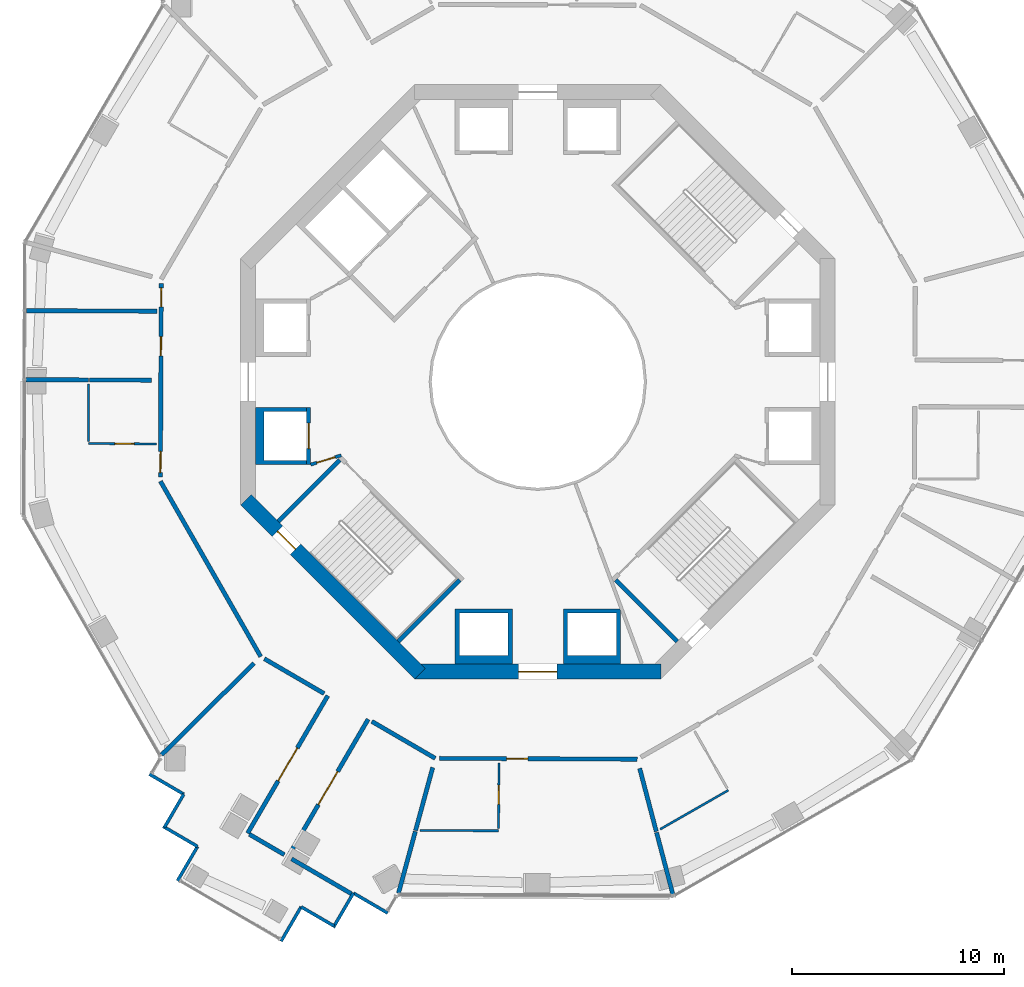
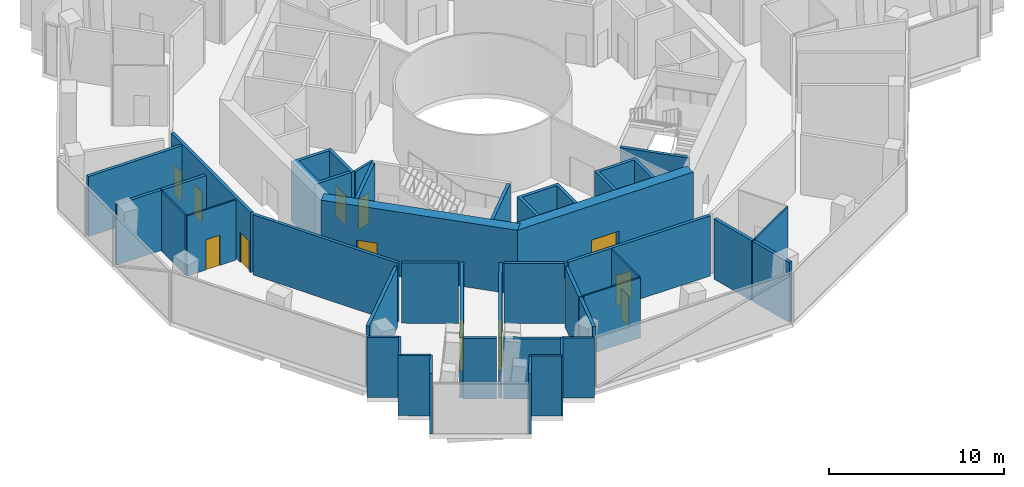
# One storey, part 10 of 16: 40 walls, 12 doors, 12 openings.
"""IFC4 building model written with IfcOpenShell, lengths in metres."""

from ifc_helpers import new_model, si_unit, direction, frame, frame_2d, origin, place, context, subcontext, project, spatial, polyline, rectangle, outline, extrude, material, layer, layer_set, type_object, element, fill, save


model = new_model("IFC4")

# Units and contexts
model_context = context("Model", 3, precision=1e-05, world=origin(), true_north=direction((0.0, 1.0)))
body_context = subcontext(model_context, "Body", "Model", "MODEL_VIEW")
ifc_project = project(units=[si_unit("LENGTHUNIT", "METRE"), si_unit("AREAUNIT", "SQUARE_METRE"), si_unit("VOLUMEUNIT", "CUBIC_METRE"), si_unit("PLANEANGLEUNIT", "RADIAN"), si_unit("MASSUNIT", "GRAM", prefix="KILO")], contexts=[model_context])

# Site, building, storey
site_placement = place(None, origin())
site = spatial("IfcSite", under=ifc_project, at=site_placement, CompositionType="ELEMENT")
building_placement = place(site_placement, origin())
building = spatial("IfcBuilding", under=site, at=building_placement, Name="Verdalira Terraces Hotel", CompositionType="ELEMENT")
storey_placement = place(building_placement, frame((0.0, 0.0, 154.0)))
storey = spatial("IfcBuildingStorey", under=building, at=storey_placement, Name="L37", CompositionType="ELEMENT", Elevation=154.0)

# Wall
ifc_material_1 = material(Name="Moisture-resistant gypsum board partition")
ifc_layer_1 = layer(ifc_material_1, 0.10009765625)
ifc_layer_set_1 = layer_set([ifc_layer_1], Name="Bathroom partition 100 mm")
wall_type_1 = type_object("IfcWallType", Name="Bathroom partition 100 mm", PredefinedType="PARTITIONING", material=ifc_layer_set_1)
wall_1_placement = place(storey_placement, frame((-21.17041, -2.811279, 0.0), z_axis=(0.0, 0.0, 1.0), x_axis=(0.004249894, 0.999990969, 0.0)))
element("IfcWall", 1, at=wall_1_placement, inside=storey, type_object=wall_type_1, Name="Bathroom partition", PredefinedType="PARTITIONING", context=body_context, shape_type="SweptSolid", body=[
    extrude(rectangle(XDim=2.699951, YDim=0.100098, at=frame_2d((1.350098, 0.0))), origin(), (0.0, 0.0, 1.0), 4.189941),
])

# Wall, opening, door
wall_2_placement = place(storey_placement, frame((-21.170654, -2.911377, 0.0), z_axis=(0.0, 0.0, 1.0), x_axis=(0.999991196, -0.004196194, 0.0)))
wall_2 = element("IfcWall", 2, at=wall_2_placement, inside=storey, type_object=wall_type_1, Name="Bathroom partition", PredefinedType="PARTITIONING", context=body_context, shape_type="SweptSolid", body=[
    extrude(rectangle(XDim=3.199951, YDim=0.100098, at=frame_2d((1.600098, 0.0))), origin(), (0.0, 0.0, 1.0), 4.189941),
])
opening_1_placement = place(wall_2_placement, frame((1.25, 0.0, 0.0)))
opening_1 = element("IfcOpeningElement", 3, at=opening_1_placement, cuts=wall_2, Name="Opening L37-107", PredefinedType="OPENING", context=body_context, shape_type="SweptSolid", body=[
    extrude(rectangle(XDim=0.899902, YDim=2.100098, at=frame_2d((0.449951, 1.050049))), frame((0.0, 0.060059, 0.0), z_axis=(0.0, -1.0, 0.0), x_axis=(1.0, 0.0, 0.0)), (0.0, 0.0, 1.0), 0.120117),
])
ifc_material_2 = material(Name="Timber door", Category="wood")
door_type_1 = type_object("IfcDoorType", Name="Bathroom door 900 x 2100", OperationType="NOTDEFINED", PredefinedType="DOOR", material=ifc_material_2)
door_1_placement = place(opening_1_placement, origin())
door_1 = element("IfcDoor", 4, at=door_1_placement, inside=storey, type_object=door_type_1, Name="Bathroom door 3704", OperationType="SINGLE_SWING_LEFT", OverallHeight=2.10009765625, OverallWidth=0.89990234375, PredefinedType="DOOR", context=body_context, shape_type="SweptSolid", body=[
    extrude(rectangle(XDim=0.899902, YDim=2.100098, at=frame_2d((0.449951, 1.050049))), frame((0.0, 0.024902, 0.0), z_axis=(0.0, -1.0, 0.0), x_axis=(1.0, 0.0, 0.0)), (0.0, 0.0, 1.0), 0.050049),
])
fill(opening_1, door_1)

# Wall
wall_3_placement = place(storey_placement, frame((-1.846924, -21.150879, 0.0), z_axis=(0.0, 0.0, 1.0), x_axis=(-0.999991102, 0.004218537, 0.0)))
element("IfcWall", 5, at=wall_3_placement, inside=storey, type_object=wall_type_1, Name="Bathroom partition", PredefinedType="PARTITIONING", context=body_context, shape_type="SweptSolid", body=[
    extrude(rectangle(XDim=3.703857, YDim=0.100098, at=frame_2d((1.852051, 0.0))), origin(), (0.0, 0.0, 1.0), 4.189941),
])

# Wall, opening, door
wall_4_placement = place(storey_placement, frame((-1.846436, -21.050781, 0.0), z_axis=(0.0, 0.0, 1.0), x_axis=(0.004173849, 0.999991289, 0.0)))
wall_4 = element("IfcWall", 6, at=wall_4_placement, inside=storey, type_object=wall_type_1, Name="Bathroom partition", PredefinedType="PARTITIONING", context=body_context, shape_type="SweptSolid", body=[
    extrude(rectangle(XDim=3.100098, YDim=0.100098, at=frame_2d((1.550049, 0.0))), origin(), (0.0, 0.0, 1.0), 4.189941),
])
opening_2_placement = place(wall_4_placement, frame((1.149902, 0.0, 0.0)))
opening_2 = element("IfcOpeningElement", 7, at=opening_2_placement, cuts=wall_4, Name="Opening L37-111", PredefinedType="OPENING", context=body_context, shape_type="SweptSolid", body=[
    extrude(rectangle(XDim=0.899902, YDim=2.100098, at=frame_2d((0.449951, 1.050049))), frame((0.0, 0.060059, 0.0), z_axis=(0.0, -1.0, 0.0), x_axis=(1.0, 0.0, 0.0)), (0.0, 0.0, 1.0), 0.120117),
])
door_2_placement = place(opening_2_placement, origin())
door_2 = element("IfcDoor", 8, at=door_2_placement, inside=storey, type_object=door_type_1, Name="Bathroom door 3707", OperationType="SINGLE_SWING_LEFT", OverallHeight=2.10009765625, OverallWidth=0.89990234375, PredefinedType="DOOR", context=body_context, shape_type="SweptSolid", body=[
    extrude(rectangle(XDim=0.899902, YDim=2.100098, at=frame_2d((0.449951, 1.050049))), frame((0.0, 0.024902, 0.0), z_axis=(0.0, -1.0, 0.0), x_axis=(1.0, 0.0, 0.0)), (0.0, 0.0, 1.0), 0.050049),
])
fill(opening_2, door_2)

# Walls
wall_5_placement = place(storey_placement, frame((8.97583, -19.240479, 0.0), z_axis=(0.0, 0.0, 1.0), x_axis=(-0.86809302, -0.496401559, 0.0)))
element("IfcWall", 9, at=wall_5_placement, inside=storey, type_object=wall_type_1, Name="Bathroom partition", PredefinedType="PARTITIONING", context=body_context, shape_type="SweptSolid", body=[
    extrude(rectangle(XDim=3.703857, YDim=0.100098, at=frame_2d((1.852051, 0.0))), origin(), (0.0, 0.0, 1.0), 4.189941),
])
ifc_material_3 = material(Name="Concrete C50", Category="concrete")
ifc_layer_2 = layer(ifc_material_3, 0.199951171875)
ifc_layer_set_2 = layer_set([ifc_layer_2], Name="Core RC wall 200 C50")
wall_type_2 = type_object("IfcWallType", Name="Core RC wall 200 C50", PredefinedType="SOLIDWALL", material=ifc_layer_set_2)
wall_6_placement = place(storey_placement, origin())
element("IfcWall", 10, at=wall_6_placement, inside=storey, type_object=wall_type_2, Name="L37 shaft wall W2", PredefinedType="SOLIDWALL", context=body_context, shape_type="SweptSolid", body=[
    extrude(outline(polyline([(-13.300049, -3.899902), (-13.300049, -1.199951), (-10.899902, -1.199951), (-10.899902, -1.399902), (-12.899902, -1.399902), (-12.899902, -3.699951), (-10.899902, -3.699951), (-10.899902, -3.899902), (-13.300049, -3.899902)])), origin(), (0.0, 0.0, 1.0), 4.189941),
])

# Wall, opening, door
wall_7_placement = place(storey_placement, frame((-10.800049, -1.199951, 0.0), z_axis=(0.0, 0.0, 1.0), x_axis=(0.0, -1.0, 0.0)))
wall_7 = element("IfcWall", 11, at=wall_7_placement, inside=storey, type_object=wall_type_2, Name="L37 shaft front wall W2", PredefinedType="SOLIDWALL", context=body_context, shape_type="SweptSolid", body=[
    extrude(rectangle(XDim=2.699951, YDim=0.199951, at=frame_2d((1.350098, 0.0))), origin(), (0.0, 0.0, 1.0), 4.189941),
])
opening_3_placement = place(wall_7_placement, frame((0.75, 0.0, 0.0)))
opening_3 = element("IfcOpeningElement", 12, at=opening_3_placement, cuts=wall_7, Name="Opening LD-L37-806", PredefinedType="OPENING", context=body_context, shape_type="SweptSolid", body=[
    extrude(rectangle(XDim=1.199951, YDim=2.100098, at=frame_2d((0.600098, 1.050049))), frame((0.0, 0.109863, 0.0), z_axis=(0.0, -1.0, 0.0), x_axis=(1.0, 0.0, 0.0)), (0.0, 0.0, 1.0), 0.219971),
])
ifc_material_4 = material(Name="Stainless steel", Category="steel")
door_type_2 = type_object("IfcDoorType", Name="Landing door 1200 x 2100", OperationType="NOTDEFINED", PredefinedType="DOOR", material=ifc_material_4)
door_3_placement = place(opening_3_placement, origin())
door_3 = element("IfcDoor", 13, at=door_3_placement, inside=storey, type_object=door_type_2, Name="Lift landing door LR6 L37", OperationType="DOUBLE_DOOR_SLIDING", OverallHeight=2.10009765625, OverallWidth=1.199951171875, PredefinedType="DOOR", context=body_context, shape_type="SweptSolid", body=[
    extrude(rectangle(XDim=1.199951, YDim=2.100098, at=frame_2d((0.600098, 1.050049))), frame((0.0, 0.024902, 0.0), z_axis=(0.0, -1.0, 0.0), x_axis=(1.0, 0.0, 0.0)), (0.0, 0.0, 1.0), 0.050049),
])
fill(opening_3, door_3)

# Walls
wall_8_placement = place(storey_placement, origin())
element("IfcWall", 14, at=wall_8_placement, inside=storey, type_object=wall_type_2, Name="L37 shaft wall S1", PredefinedType="SOLIDWALL", context=body_context, shape_type="SweptSolid", body=[
    extrude(outline(polyline([(-1.199951, -13.300049), (-3.899902, -13.300049), (-3.899902, -10.699951), (-1.199951, -10.699951), (-1.199951, -13.300049)]), holes=[polyline([(-3.699951, -10.899902), (-3.699951, -12.899902), (-1.399902, -12.899902), (-1.399902, -10.899902), (-3.699951, -10.899902)])]), origin(), (0.0, 0.0, 1.0), 4.189941),
])
wall_9_placement = place(storey_placement, origin())
element("IfcWall", 15, at=wall_9_placement, inside=storey, type_object=wall_type_2, Name="L37 shaft wall S2", PredefinedType="SOLIDWALL", context=body_context, shape_type="SweptSolid", body=[
    extrude(outline(polyline([(3.899902, -10.699951), (3.899902, -13.300049), (1.199951, -13.300049), (1.199951, -10.699951), (3.899902, -10.699951)]), holes=[polyline([(1.399902, -12.899902), (3.699951, -12.899902), (3.699951, -10.899902), (1.399902, -10.899902), (1.399902, -12.899902)])]), origin(), (0.0, 0.0, 1.0), 4.189941),
])
for number, where, z_axis, x_axis, name in (
    (16, (-9.33374, -3.677002, 0.0), (0.0, 0.0, 1.0), (-0.707106781, -0.707106781, 0.0), "L37 stair ST2 end wall 1"),
    (17, (-3.677002, -9.33374, 0.0), (0.0, 0.0, 1.0), (-0.707106781, -0.707106781, 0.0), "L37 stair ST2 end wall 2"),
    (18, (3.677002, -9.33374, 0.0), (0.0, 0.0, 1.0), (0.707106781, -0.707106781, 0.0), "L37 stair ST3 end wall 1"),
):
    element("IfcWall", number, at=place(storey_placement, frame(where, z_axis=z_axis, x_axis=x_axis)), inside=storey, type_object=wall_type_2, Name=name, PredefinedType="SOLIDWALL", context=body_context, shape_type="SweptSolid", body=[
        extrude(rectangle(XDim=4.100098, YDim=0.199951, at=frame_2d((2.050049, 0.0))), origin(), (0.0, 0.0, 1.0), 4.189941),
    ])

# Wall, opening, door
ifc_material_5 = material(Name="Gypsum board partition")
ifc_layer_3 = layer(ifc_material_5, 0.14990234375)
ifc_layer_set_3 = layer_set([ifc_layer_3], Name="Core partition 150 mm")
wall_type_3 = type_object("IfcWallType", Name="Core partition 150 mm", PredefinedType="PARTITIONING", material=ifc_layer_set_3)
wall_10_placement = place(storey_placement, frame((-10.699951, -3.899902, 0.0), z_axis=(0.0, 0.0, 1.0), x_axis=(0.957084567, 0.289808785, 0.0)))
wall_10 = element("IfcWall", 19, at=wall_10_placement, inside=storey, type_object=wall_type_3, Name="Room partition L37", PredefinedType="PARTITIONING", context=body_context, shape_type="SweptSolid", body=[
    extrude(rectangle(XDim=1.501221, YDim=0.149902, at=frame_2d((0.750488, 0.0))), origin(), (0.0, 0.0, 1.0), 4.189941),
])
opening_4_placement = place(wall_10_placement, frame((0.300781, 0.0, 0.0)))
opening_4 = element("IfcOpeningElement", 20, at=opening_4_placement, cuts=wall_10, Name="Opening L37-822", PredefinedType="OPENING", context=body_context, shape_type="SweptSolid", body=[
    extrude(rectangle(XDim=0.899902, YDim=2.100098, at=frame_2d((0.449951, 1.050049))), frame((0.0, 0.084961, 0.0), z_axis=(0.0, -1.0, 0.0), x_axis=(1.0, 0.0, 0.0)), (0.0, 0.0, 1.0), 0.169922),
])
ifc_material_6 = material(Name="Steel fire door", Category="steel")
door_type_3 = type_object("IfcDoorType", Name="Core room door 900 x 2100", OperationType="NOTDEFINED", PredefinedType="DOOR", material=ifc_material_6)
door_4_placement = place(opening_4_placement, origin())
door_4 = element("IfcDoor", 21, at=door_4_placement, inside=storey, type_object=door_type_3, Name="Door L37 room4", OperationType="SINGLE_SWING_LEFT", OverallHeight=2.10009765625, OverallWidth=0.89990234375, PredefinedType="DOOR", context=body_context, shape_type="SweptSolid", body=[
    extrude(rectangle(XDim=0.899902, YDim=2.100098, at=frame_2d((0.449951, 1.050049))), frame((0.0, 0.024902, 0.0), z_axis=(0.0, -1.0, 0.0), x_axis=(1.0, 0.0, 0.0)), (0.0, 0.0, 1.0), 0.050049),
])
fill(opening_4, door_4)

ifc_material_7 = material(Name="Concrete C60", Category="concrete")
ifc_layer_4 = layer(ifc_material_7, 0.699951171875)
ifc_layer_set_4 = layer_set([ifc_layer_4], Name="Core wall 700 C60")
wall_type_4 = type_object("IfcWallType", Name="Core wall 700 C60", PredefinedType="SHEAR", material=ifc_layer_set_4)
wall_11_placement = place(storey_placement, frame((-13.752441, -5.551514, 0.0), z_axis=(0.0, 0.0, 1.0), x_axis=(0.707106781, -0.707106781, 0.0)))
wall_11 = element("IfcWall", 22, at=wall_11_placement, inside=storey, type_object=wall_type_4, Name="Core wall CW-L37-6", PredefinedType="SHEAR", context=body_context, shape_type="SweptSolid", body=[
    extrude(rectangle(XDim=11.5979, YDim=0.699951, at=frame_2d((5.798828, 0.0))), origin(), (0.0, 0.0, 1.0), 4.5),
])
opening_5_placement = place(wall_11_placement, frame((2.099121, 0.0, 0.0)))
opening_5 = element("IfcOpeningElement", 23, at=opening_5_placement, cuts=wall_11, Name="Opening L37-817", PredefinedType="OPENING", context=body_context, shape_type="SweptSolid", body=[
    extrude(rectangle(XDim=1.199951, YDim=2.100098, at=frame_2d((0.600098, 1.050049))), frame((0.0, 0.359863, 0.0), z_axis=(0.0, -1.0, 0.0), x_axis=(1.0, 0.0, 0.0)), (0.0, 0.0, 1.0), 0.719971),
])
ifc_material_8 = material(Name="Steel fire door", Category="steel")
door_type_4 = type_object("IfcDoorType", Name="Stair door 1200 x 2100", OperationType="NOTDEFINED", PredefinedType="DOOR", material=ifc_material_8)
door_5_placement = place(opening_5_placement, origin())
door_5 = element("IfcDoor", 24, at=door_5_placement, inside=storey, type_object=door_type_4, Name="Stair exit door ST2 L37", OperationType="SINGLE_SWING_LEFT", OverallHeight=2.10009765625, OverallWidth=1.199951171875, PredefinedType="DOOR", context=body_context, shape_type="SweptSolid", body=[
    extrude(rectangle(XDim=1.199951, YDim=2.100098, at=frame_2d((0.600098, 1.050049))), frame((0.0, 0.024902, 0.0), z_axis=(0.0, -1.0, 0.0), x_axis=(1.0, 0.0, 0.0)), (0.0, 0.0, 1.0), 0.050049),
])
fill(opening_5, door_5)

wall_12_placement = place(storey_placement, frame((-5.799072, -13.649902, 0.0), z_axis=(0.0, 0.0, 1.0), x_axis=(1.0, 0.0, 0.0)))
wall_12 = element("IfcWall", 25, at=wall_12_placement, inside=storey, type_object=wall_type_4, Name="Core wall CW-L37-7", PredefinedType="SHEAR", context=body_context, shape_type="SweptSolid", body=[
    extrude(rectangle(XDim=11.598145, YDim=0.699951, at=frame_2d((5.799072, 0.0))), origin(), (0.0, 0.0, 1.0), 4.5),
])
opening_6_placement = place(wall_12_placement, frame((4.898926, 0.0, 0.0)))
opening_6 = element("IfcOpeningElement", 26, at=opening_6_placement, cuts=wall_12, Name="Opening L37-815", PredefinedType="OPENING", context=body_context, shape_type="SweptSolid", body=[
    extrude(rectangle(XDim=1.800049, YDim=2.100098, at=frame_2d((0.899902, 1.050049))), frame((0.0, 0.359863, 0.0), z_axis=(0.0, -1.0, 0.0), x_axis=(1.0, 0.0, 0.0)), (0.0, 0.0, 1.0), 0.719971),
])
ifc_material_9 = material(Name="Steel fire door", Category="steel")
door_type_5 = type_object("IfcDoorType", Name="Core entry door pair 1800 x 2100", OperationType="NOTDEFINED", PredefinedType="DOOR", material=ifc_material_9)
door_6_placement = place(opening_6_placement, origin())
door_6 = element("IfcDoor", 27, at=door_6_placement, inside=storey, type_object=door_type_5, Name="Core entry door L37 6", OperationType="DOUBLE_DOOR_SINGLE_SWING", OverallHeight=2.10009765625, OverallWidth=1.800048828125, PredefinedType="DOOR", context=body_context, shape_type="SweptSolid", body=[
    extrude(rectangle(XDim=1.800049, YDim=2.100098, at=frame_2d((0.899902, 1.050049))), frame((0.0, 0.024902, 0.0), z_axis=(0.0, -1.0, 0.0), x_axis=(1.0, 0.0, 0.0)), (0.0, 0.0, 1.0), 0.050049),
])
fill(opening_6, door_6)

# Walls
ifc_material_10 = material(Name="Fire-rated gypsum board wall")
ifc_layer_5 = layer(ifc_material_10, 0.199951171875)
ifc_layer_set_5 = layer_set([ifc_layer_5], Name="Demising wall 200 mm")
wall_type_5 = type_object("IfcWallType", Name="Demising wall 200 mm", PredefinedType="SOLIDWALL", material=ifc_layer_set_5)
wall_13_placement = place(storey_placement, frame((-17.726074, -17.578125, 0.0), z_axis=(0.0, 0.0, 1.0), x_axis=(0.710086542, 0.70411441, 0.0)))
element("IfcWall", 28, at=wall_13_placement, inside=storey, type_object=wall_type_5, Name="Demising wall", PredefinedType="SOLIDWALL", context=body_context, shape_type="SweptSolid", body=[
    extrude(rectangle(XDim=6.13208, YDim=0.199951, at=frame_2d((3.065918, 0.0))), origin(), (0.0, 0.0, 1.0), 4.189941),
])
wall_14_placement = place(storey_placement, frame((-11.599121, -22.475098, 0.0), z_axis=(0.0, 0.0, 1.0), x_axis=(0.863923186, -0.503623597, 0.0)))
element("IfcWall", 29, at=wall_14_placement, inside=storey, type_object=wall_type_5, Name="Demising wall", PredefinedType="SOLIDWALL", context=body_context, shape_type="SweptSolid", body=[
    extrude(rectangle(XDim=3.251709, YDim=0.199951, at=frame_2d((1.625977, 0.0))), origin(), (0.0, 0.0, 1.0), 4.189941),
])
wall_15_placement = place(storey_placement, frame((-5.770508, -21.180664, 0.0), z_axis=(0.0, 0.0, 1.0), x_axis=(-0.262836136, -0.964840487, 0.0)))
element("IfcWall", 30, at=wall_15_placement, inside=storey, type_object=wall_type_5, Name="Demising wall", PredefinedType="SOLIDWALL", context=body_context, shape_type="SweptSolid", body=[
    extrude(rectangle(XDim=3.011475, YDim=0.199951, at=frame_2d((1.505859, 0.0))), origin(), (0.0, 0.0, 1.0), 4.189941),
])
wall_16_placement = place(storey_placement, frame((-4.950195, -18.169922, 0.0), z_axis=(0.0, 0.0, 1.0), x_axis=(-0.262922543, -0.964816944, 0.0)))
element("IfcWall", 31, at=wall_16_placement, inside=storey, type_object=wall_type_5, Name="Demising wall", PredefinedType="SOLIDWALL", context=body_context, shape_type="SweptSolid", body=[
    extrude(rectangle(XDim=3.074463, YDim=0.199951, at=frame_2d((1.537109, 0.0))), origin(), (0.0, 0.0, 1.0), 4.189941),
])
wall_17_placement = place(storey_placement, frame((4.797852, -18.210693, 0.0), z_axis=(0.0, 0.0, 1.0), x_axis=(0.254809876, -0.966991172, 0.0)))
element("IfcWall", 32, at=wall_17_placement, inside=storey, type_object=wall_type_5, Name="Demising wall", PredefinedType="SOLIDWALL", context=body_context, shape_type="SweptSolid", body=[
    extrude(rectangle(XDim=3.074707, YDim=0.199951, at=frame_2d((1.537354, 0.0))), origin(), (0.0, 0.0, 1.0), 4.189941),
])
wall_18_placement = place(storey_placement, frame((5.593018, -21.228271, 0.0), z_axis=(0.0, 0.0, 1.0), x_axis=(0.254744714, -0.967008341, 0.0)))
element("IfcWall", 33, at=wall_18_placement, inside=storey, type_object=wall_type_5, Name="Demising wall", PredefinedType="SOLIDWALL", context=body_context, shape_type="SweptSolid", body=[
    extrude(rectangle(XDim=3.01123, YDim=0.199951, at=frame_2d((1.505615, 0.0))), origin(), (0.0, 0.0, 1.0), 4.189941),
])

# Wall, openings, doors
ifc_material_11 = material(Name="Fire-rated gypsum board wall")
ifc_layer_6 = layer(ifc_material_11, 0.199951171875)
ifc_layer_set_6 = layer_set([ifc_layer_6], Name="Guest corridor wall 200 mm")
wall_type_6 = type_object("IfcWallType", Name="Guest corridor wall 200 mm", PredefinedType="SOLIDWALL", material=ifc_layer_set_6)
wall_19_placement = place(storey_placement, frame((-17.777344, -4.483398, 0.0), z_axis=(0.0, 0.0, 1.0), x_axis=(0.004204569, 0.999991161, 0.0)))
wall_19 = element("IfcWall", 34, at=wall_19_placement, inside=storey, type_object=wall_type_6, Name="Guest corridor wall", PredefinedType="SOLIDWALL", context=body_context, shape_type="SweptSolid", body=[
    extrude(rectangle(XDim=9.116211, YDim=0.199951, at=frame_2d((4.558105, 0.0))), origin(), (0.0, 0.0, 1.0), 4.189941),
])
opening_7_placement = place(wall_19_placement, frame((0.199951, 0.0, 0.0)))
opening_7 = element("IfcOpeningElement", 35, at=opening_7_placement, cuts=wall_19, Name="Opening L37-106", PredefinedType="OPENING", context=body_context, shape_type="SweptSolid", body=[
    extrude(rectangle(XDim=1.0, YDim=2.100098, at=frame_2d((0.5, 1.050049))), frame((0.0, 0.109863, 0.0), z_axis=(0.0, -1.0, 0.0), x_axis=(1.0, 0.0, 0.0)), (0.0, 0.0, 1.0), 0.219971),
])
opening_8_placement = place(wall_19_placement, frame((8.007812, 0.0, 0.0)))
opening_8 = element("IfcOpeningElement", 36, at=opening_8_placement, cuts=wall_19, Name="Opening L37-123", PredefinedType="OPENING", context=body_context, shape_type="SweptSolid", body=[
    extrude(rectangle(XDim=0.899902, YDim=2.100098, at=frame_2d((0.449951, 1.050049))), frame((0.0, 0.109863, 0.0), z_axis=(0.0, -1.0, 0.0), x_axis=(1.0, 0.0, 0.0)), (0.0, 0.0, 1.0), 0.219971),
])
opening_9_placement = place(wall_19_placement, frame((5.707764, 0.0, 0.0)))
opening_9 = element("IfcOpeningElement", 37, at=opening_9_placement, cuts=wall_19, Name="Opening L37-124", PredefinedType="OPENING", context=body_context, shape_type="SweptSolid", body=[
    extrude(rectangle(XDim=0.899902, YDim=2.100098, at=frame_2d((0.449951, 1.050049))), frame((0.0, 0.109863, 0.0), z_axis=(0.0, -1.0, 0.0), x_axis=(1.0, 0.0, 0.0)), (0.0, 0.0, 1.0), 0.219971),
])
ifc_material_12 = material(Name="Timber fire door", Category="wood")
door_type_6 = type_object("IfcDoorType", Name="Guest entry door 1000 x 2100", OperationType="NOTDEFINED", PredefinedType="DOOR", material=ifc_material_12)
door_7_placement = place(opening_7_placement, origin())
door_7 = element("IfcDoor", 38, at=door_7_placement, inside=storey, type_object=door_type_6, Name="Guest entry door 3704", OperationType="SINGLE_SWING_LEFT", OverallHeight=2.10009765625, OverallWidth=1.0, PredefinedType="DOOR", context=body_context, shape_type="SweptSolid", body=[
    extrude(rectangle(XDim=1.0, YDim=2.100098, at=frame_2d((0.5, 1.050049))), frame((0.0, 0.024902, 0.0), z_axis=(0.0, -1.0, 0.0), x_axis=(1.0, 0.0, 0.0)), (0.0, 0.0, 1.0), 0.050049),
])
fill(opening_7, door_7)
ifc_material_13 = material(Name="Timber fire door", Category="wood")
door_type_7 = type_object("IfcDoorType", Name="Toilet door 900 x 2100", OperationType="NOTDEFINED", PredefinedType="DOOR", material=ifc_material_13)
door_8_placement = place(opening_8_placement, origin())
door_8 = element("IfcDoor", 39, at=door_8_placement, inside=storey, type_object=door_type_7, Name="Toilet door 3715", OperationType="SINGLE_SWING_LEFT", OverallHeight=2.10009765625, OverallWidth=0.89990234375, PredefinedType="DOOR", context=body_context, shape_type="SweptSolid", body=[
    extrude(rectangle(XDim=0.899902, YDim=2.100098, at=frame_2d((0.449951, 1.050049))), frame((0.0, 0.024902, 0.0), z_axis=(0.0, -1.0, 0.0), x_axis=(1.0, 0.0, 0.0)), (0.0, 0.0, 1.0), 0.050049),
])
fill(opening_8, door_8)
door_9_placement = place(opening_9_placement, origin())
door_9 = element("IfcDoor", 40, at=door_9_placement, inside=storey, type_object=door_type_7, Name="Toilet door 3716", OperationType="SINGLE_SWING_LEFT", OverallHeight=2.10009765625, OverallWidth=0.89990234375, PredefinedType="DOOR", context=body_context, shape_type="SweptSolid", body=[
    extrude(rectangle(XDim=0.899902, YDim=2.100098, at=frame_2d((0.449951, 1.050049))), frame((0.0, 0.024902, 0.0), z_axis=(0.0, -1.0, 0.0), x_axis=(1.0, 0.0, 0.0)), (0.0, 0.0, 1.0), 0.050049),
])
fill(opening_9, door_9)

# Walls
wall_20_placement = place(storey_placement, frame((-17.777832, -4.684326, 0.0), z_axis=(0.0, 0.0, 1.0), x_axis=(0.496362719, -0.868115229, 0.0)))
element("IfcWall", 41, at=wall_20_placement, inside=storey, type_object=wall_type_6, Name="Guest corridor wall", PredefinedType="SOLIDWALL", context=body_context, shape_type="SweptSolid", body=[
    extrude(rectangle(XDim=9.516113, YDim=0.199951, at=frame_2d((4.758057, 0.0))), origin(), (0.0, 0.0, 1.0), 4.189941),
])
wall_21_placement = place(storey_placement, frame((-13.583008, -21.318604, 0.0), z_axis=(0.0, 0.0, 1.0), x_axis=(0.863965252, -0.503551431, 0.0)))
element("IfcWall", 42, at=wall_21_placement, inside=storey, type_object=wall_type_6, Name="Guest corridor wall", PredefinedType="SOLIDWALL", context=body_context, shape_type="SweptSolid", body=[
    extrude(rectangle(XDim=1.900146, YDim=0.199951, at=frame_2d((0.950195, 0.0))), origin(), (0.0, 0.0, 1.0), 4.189941),
])

# Wall, opening, door
wall_22_placement = place(storey_placement, frame((-13.669922, -21.265381, 0.0), z_axis=(0.0, 0.0, 1.0), x_axis=(0.50362806, 0.863920585, 0.0)))
wall_22 = element("IfcWall", 43, at=wall_22_placement, inside=storey, type_object=wall_type_6, Name="Guest corridor wall", PredefinedType="SOLIDWALL", context=body_context, shape_type="SweptSolid", body=[
    extrude(rectangle(XDim=7.497803, YDim=0.199951, at=frame_2d((3.749023, 0.0))), origin(), (0.0, 0.0, 1.0), 4.189941),
])
opening_10_placement = place(wall_22_placement, frame((2.850098, 0.0, 0.0)))
opening_10 = element("IfcOpeningElement", 44, at=opening_10_placement, cuts=wall_22, Name="Opening L37-108", PredefinedType="OPENING", context=body_context, shape_type="SweptSolid", body=[
    extrude(rectangle(XDim=1.800049, YDim=2.100098, at=frame_2d((0.899902, 1.050049))), frame((0.0, 0.109863, 0.0), z_axis=(0.0, -1.0, 0.0), x_axis=(1.0, 0.0, 0.0)), (0.0, 0.0, 1.0), 0.219971),
])
ifc_material_14 = material(Name="Timber fire door", Category="wood")
door_type_8 = type_object("IfcDoorType", Name="Public room double door 1800 x 2100", OperationType="NOTDEFINED", PredefinedType="DOOR", material=ifc_material_14)
door_10_placement = place(opening_10_placement, origin())
door_10 = element("IfcDoor", 45, at=door_10_placement, inside=storey, type_object=door_type_8, Name="Public room double door 3705", OperationType="DOUBLE_DOOR_SINGLE_SWING", OverallHeight=2.10009765625, OverallWidth=1.800048828125, PredefinedType="DOOR", context=body_context, shape_type="SweptSolid", body=[
    extrude(rectangle(XDim=1.800049, YDim=2.100098, at=frame_2d((0.899902, 1.050049))), frame((0.0, 0.024902, 0.0), z_axis=(0.0, -1.0, 0.0), x_axis=(1.0, 0.0, 0.0)), (0.0, 0.0, 1.0), 0.050049),
])
fill(opening_10, door_10)

# Wall
wall_23_placement = place(storey_placement, frame((-12.881592, -13.046143, 0.0), z_axis=(0.0, 0.0, 1.0), x_axis=(0.863936482, -0.503600789, 0.0)))
element("IfcWall", 46, at=wall_23_placement, inside=storey, type_object=wall_type_6, Name="Guest corridor wall", PredefinedType="SOLIDWALL", context=body_context, shape_type="SweptSolid", body=[
    extrude(rectangle(XDim=3.258301, YDim=0.199951, at=frame_2d((1.62915, 0.0))), origin(), (0.0, 0.0, 1.0), 4.189941),
])

# Wall, opening, door
wall_24_placement = place(storey_placement, frame((-7.993164, -15.895996, 0.0), z_axis=(0.0, 0.0, 1.0), x_axis=(-0.503626099, -0.863921728, 0.0)))
wall_24 = element("IfcWall", 47, at=wall_24_placement, inside=storey, type_object=wall_type_6, Name="Guest corridor wall", PredefinedType="SOLIDWALL", context=body_context, shape_type="SweptSolid", body=[
    extrude(rectangle(XDim=7.499756, YDim=0.199951, at=frame_2d((3.75, 0.0))), origin(), (0.0, 0.0, 1.0), 4.189941),
])
opening_11_placement = place(wall_24_placement, frame((2.850098, 0.0, 0.0)))
opening_11 = element("IfcOpeningElement", 48, at=opening_11_placement, cuts=wall_24, Name="Opening L37-109", PredefinedType="OPENING", context=body_context, shape_type="SweptSolid", body=[
    extrude(rectangle(XDim=1.800049, YDim=2.100098, at=frame_2d((0.899902, 1.050049))), frame((0.0, 0.109863, 0.0), z_axis=(0.0, -1.0, 0.0), x_axis=(1.0, 0.0, 0.0)), (0.0, 0.0, 1.0), 0.219971),
])
door_11_placement = place(opening_11_placement, origin())
door_11 = element("IfcDoor", 49, at=door_11_placement, inside=storey, type_object=door_type_8, Name="Public room double door 3706", OperationType="DOUBLE_DOOR_SINGLE_SWING", OverallHeight=2.10009765625, OverallWidth=1.800048828125, PredefinedType="DOOR", context=body_context, shape_type="SweptSolid", body=[
    extrude(rectangle(XDim=1.800049, YDim=2.100098, at=frame_2d((0.899902, 1.050049))), frame((0.0, 0.024902, 0.0), z_axis=(0.0, -1.0, 0.0), x_axis=(1.0, 0.0, 0.0)), (0.0, 0.0, 1.0), 0.050049),
])
fill(opening_11, door_11)

# Wall
wall_25_placement = place(storey_placement, frame((-7.820312, -15.996582, 0.0), z_axis=(0.0, 0.0, 1.0), x_axis=(0.86390946, -0.503647143, 0.0)))
element("IfcWall", 50, at=wall_25_placement, inside=storey, type_object=wall_type_6, Name="Guest corridor wall", PredefinedType="SOLIDWALL", context=body_context, shape_type="SweptSolid", body=[
    extrude(rectangle(XDim=3.458252, YDim=0.199951, at=frame_2d((1.729004, 0.0))), origin(), (0.0, 0.0, 1.0), 4.189941),
])

# Wall, opening, door
wall_26_placement = place(storey_placement, frame((4.683838, -17.778076, 0.0), z_axis=(0.0, 0.0, 1.0), x_axis=(-0.99999121, 0.004192835, 0.0)))
wall_26 = element("IfcWall", 51, at=wall_26_placement, inside=storey, type_object=wall_type_6, Name="Guest corridor wall", PredefinedType="SOLIDWALL", context=body_context, shape_type="SweptSolid", body=[
    extrude(rectangle(XDim=9.316406, YDim=0.199951, at=frame_2d((4.658203, 0.0))), origin(), (0.0, 0.0, 1.0), 4.189941),
])
opening_12_placement = place(wall_26_placement, frame((5.149902, 0.0, 0.0)))
opening_12 = element("IfcOpeningElement", 52, at=opening_12_placement, cuts=wall_26, Name="Opening L37-110", PredefinedType="OPENING", context=body_context, shape_type="SweptSolid", body=[
    extrude(rectangle(XDim=1.0, YDim=2.100098, at=frame_2d((0.5, 1.050049))), frame((0.0, 0.109863, 0.0), z_axis=(0.0, -1.0, 0.0), x_axis=(1.0, 0.0, 0.0)), (0.0, 0.0, 1.0), 0.219971),
])
door_12_placement = place(opening_12_placement, origin())
door_12 = element("IfcDoor", 53, at=door_12_placement, inside=storey, type_object=door_type_6, Name="Guest entry door 3707", OperationType="SINGLE_SWING_LEFT", OverallHeight=2.10009765625, OverallWidth=1.0, PredefinedType="DOOR", context=body_context, shape_type="SweptSolid", body=[
    extrude(rectangle(XDim=1.0, YDim=2.100098, at=frame_2d((0.5, 1.050049))), frame((0.0, 0.024902, 0.0), z_axis=(0.0, -1.0, 0.0), x_axis=(1.0, 0.0, 0.0)), (0.0, 0.0, 1.0), 0.050049),
])
fill(opening_12, door_12)

# Walls
ifc_material_15 = material(Name="Fire-rated gypsum board wall")
ifc_layer_7 = layer(ifc_material_15, 0.199951171875)
ifc_layer_set_7 = layer_set([ifc_layer_7], Name="Service room wall 200 mm")
wall_type_7 = type_object("IfcWallType", Name="Service room wall 200 mm", PredefinedType="SOLIDWALL", material=ifc_layer_set_7)
wall_27_placement = place(storey_placement, frame((-21.156006, 0.088623, 0.0), z_axis=(0.0, 0.0, 1.0), x_axis=(-0.999991106, 0.004217627, 0.0)))
element("IfcWall", 54, at=wall_27_placement, inside=storey, type_object=wall_type_7, Name="Service room wall", PredefinedType="SOLIDWALL", context=body_context, shape_type="SweptSolid", body=[
    extrude(rectangle(XDim=2.952148, YDim=0.199951, at=frame_2d((1.476074, 0.0))), origin(), (0.0, 0.0, 1.0), 4.189941),
])
wall_28_placement = place(storey_placement, frame((-17.94458, 3.325195, 0.0), z_axis=(0.0, 0.0, 1.0), x_axis=(-0.999991146, 0.004207982, 0.0)))
element("IfcWall", 55, at=wall_28_placement, inside=storey, type_object=wall_type_7, Name="Service room wall", PredefinedType="SOLIDWALL", context=body_context, shape_type="SweptSolid", body=[
    extrude(rectangle(XDim=6.149902, YDim=0.199951, at=frame_2d((3.074951, 0.0))), origin(), (0.0, 0.0, 1.0), 4.189941),
])
wall_29_placement = place(storey_placement, frame((-18.205322, 0.076416, 0.0), z_axis=(0.0, 0.0, 1.0), x_axis=(-0.99999152, 0.004118304, 0.0)))
element("IfcWall", 56, at=wall_29_placement, inside=storey, type_object=wall_type_7, Name="Service room wall", PredefinedType="SOLIDWALL", context=body_context, shape_type="SweptSolid", body=[
    extrude(rectangle(XDim=2.904785, YDim=0.199951, at=frame_2d((1.452393, 0.0))), origin(), (0.0, 0.0, 1.0), 4.189941),
])
ifc_material_16 = material(Name="Terracotta cladding", Category="masonry")
ifc_layer_8 = layer(ifc_material_16, 0.14990234375)
ifc_layer_set_8 = layer_set([ifc_layer_8], Name="Terracotta clad wall 150")
wall_type_8 = type_object("IfcWallType", Name="Terracotta clad wall 150", PredefinedType="SOLIDWALL", material=ifc_layer_set_8)
wall_30_placement = place(storey_placement, frame((-18.29834, -18.48291, 0.0), z_axis=(0.0, 0.0, 1.0), x_axis=(0.863915821, -0.503636232, 0.0)))
element("IfcWall", 57, at=wall_30_placement, inside=storey, type_object=wall_type_8, Name="Terracotta cladding wall", PredefinedType="SOLIDWALL", context=body_context, shape_type="SweptSolid", body=[
    extrude(rectangle(XDim=1.875, YDim=0.149902, at=frame_2d((0.9375, 0.0))), origin(), (0.0, 0.0, 1.0), 4.189941),
])
wall_31_placement = place(storey_placement, frame((-16.678467, -19.427246, 0.0), z_axis=(0.0, 0.0, 1.0), x_axis=(-0.503643296, -0.863911703, 0.0)))
element("IfcWall", 58, at=wall_31_placement, inside=storey, type_object=wall_type_8, Name="Terracotta cladding wall", PredefinedType="SOLIDWALL", context=body_context, shape_type="SweptSolid", body=[
    extrude(rectangle(XDim=1.799805, YDim=0.149902, at=frame_2d((0.899902, 0.0))), origin(), (0.0, 0.0, 1.0), 4.189941),
])
wall_32_placement = place(storey_placement, frame((-17.649902, -20.94458, 0.0), z_axis=(0.0, 0.0, 1.0), x_axis=(0.863915821, -0.503636232, 0.0)))
element("IfcWall", 59, at=wall_32_placement, inside=storey, type_object=wall_type_8, Name="Terracotta cladding wall", PredefinedType="SOLIDWALL", context=body_context, shape_type="SweptSolid", body=[
    extrude(rectangle(XDim=1.875, YDim=0.149902, at=frame_2d((0.9375, 0.0))), origin(), (0.0, 0.0, 1.0), 4.189941),
])
for number, where, z_axis, x_axis, name in (
    (60, (-16.030029, -21.888916, 0.0), (0.0, 0.0, 1.0), (-0.503692889, -0.863882789, 0.0), "Terracotta cladding wall"),
    (61, (-12.093262, -26.354004, 0.0), (0.0, 0.0, 1.0), (0.503692889, 0.863882789, 0.0), "Terracotta cladding wall"),
):
    element("IfcWall", number, at=place(storey_placement, frame(where, z_axis=z_axis, x_axis=x_axis)), inside=storey, type_object=wall_type_8, Name=name, PredefinedType="SOLIDWALL", context=body_context, shape_type="SweptSolid", body=[
        extrude(rectangle(XDim=1.874756, YDim=0.149902, at=frame_2d((0.9375, 0.0))), origin(), (0.0, 0.0, 1.0), 4.189941),
    ])
wall_33_placement = place(storey_placement, frame((-11.148926, -24.734375, 0.0), z_axis=(0.0, 0.0, 1.0), x_axis=(0.863946104, -0.503584283, 0.0)))
element("IfcWall", 62, at=wall_33_placement, inside=storey, type_object=wall_type_8, Name="Terracotta cladding wall", PredefinedType="SOLIDWALL", context=body_context, shape_type="SweptSolid", body=[
    extrude(rectangle(XDim=1.800049, YDim=0.149902, at=frame_2d((0.899902, 0.0))), origin(), (0.0, 0.0, 1.0), 4.189941),
])
for number, where, z_axis, x_axis, name in (
    (63, (-9.631592, -25.705566, 0.0), (0.0, 0.0, 1.0), (0.503636232, 0.863915821, 0.0), "Terracotta cladding wall"),
    (64, (-8.687256, -24.085693, 0.0), (0.0, 0.0, 1.0), (0.863915821, -0.503636232, 0.0), "Terracotta cladding wall"),
):
    element("IfcWall", number, at=place(storey_placement, frame(where, z_axis=z_axis, x_axis=x_axis)), inside=storey, type_object=wall_type_8, Name=name, PredefinedType="SOLIDWALL", context=body_context, shape_type="SweptSolid", body=[
        extrude(rectangle(XDim=1.875, YDim=0.149902, at=frame_2d((0.9375, 0.0))), origin(), (0.0, 0.0, 1.0), 4.189941),
    ])

save(model, "model.ifc")
